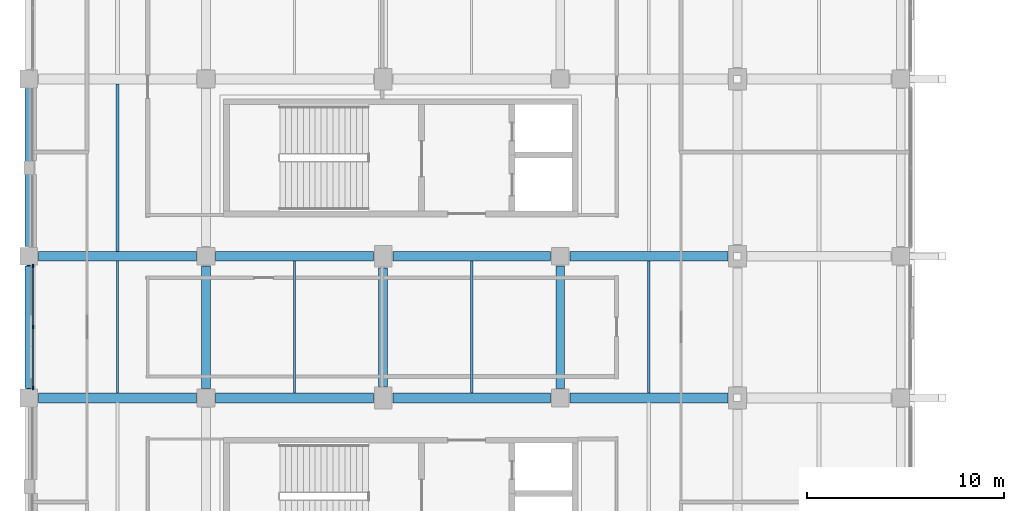
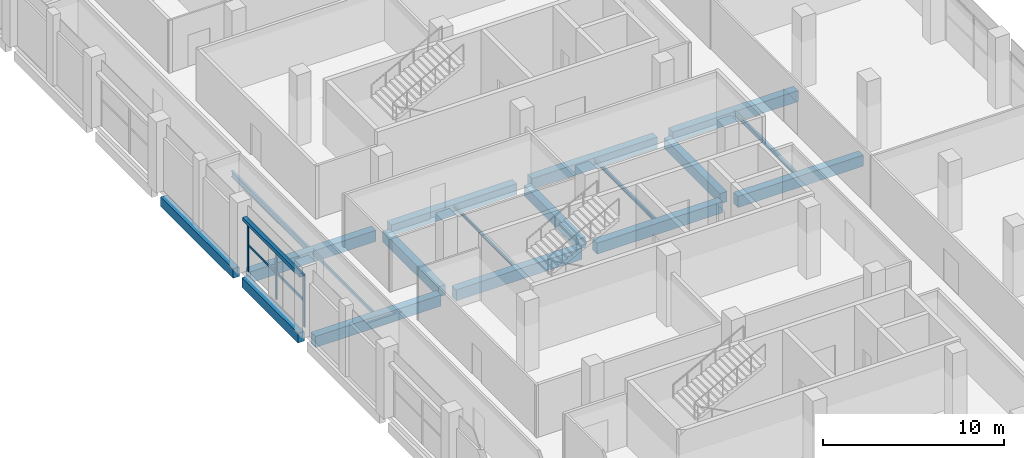
# One storey, part 14 of 82: 18 beams, 6 members, 1 element without a shape of its own.
"""IFC4 building model written with IfcOpenShell, lengths in metres."""

from ifc_helpers import new_model, si_unit, direction, frame, origin, origin_2d, place, context, subcontext, project, spatial, rectangle, hollow_rectangle, i_section, extrude, material, material_profile, profile_set, type_object, element, aggregate, save


model = new_model("IFC4")

# Units and contexts
model_context = context("Model", 3, precision=1e-05, world=origin(), true_north=direction((0.0, 1.0)))
body_context = subcontext(model_context, "Body", "Model", "MODEL_VIEW")
ifc_project = project(units=[si_unit("LENGTHUNIT", "METRE"), si_unit("AREAUNIT", "SQUARE_METRE"), si_unit("VOLUMEUNIT", "CUBIC_METRE"), si_unit("PLANEANGLEUNIT", "RADIAN"), si_unit("MASSUNIT", "GRAM", prefix="KILO"), si_unit("THERMODYNAMICTEMPERATUREUNIT", "KELVIN"), si_unit("POWERUNIT", "WATT")], contexts=[model_context])

# Site, building, storey
site_placement = place(None, origin())
site = spatial("IfcSite", under=ifc_project, at=site_placement, CompositionType="ELEMENT")
building_placement = place(site_placement, origin())
building = spatial("IfcBuilding", under=site, at=building_placement, Name="Sindhuravela Promenade Stadium", CompositionType="ELEMENT")
storey_placement = place(building_placement, frame((0.0, 0.0, 14.39990234375)))
storey = spatial("IfcBuildingStorey", under=building, at=storey_placement, Name="L03", CompositionType="ELEMENT", Elevation=14.39990234375)

# Curtain wall, members
ifc_material_1 = material(Name="Anodised architectural aluminium 6063-T6", Category="aluminium")
curtain_wall_type = type_object("IfcCurtainWallType", Name="CW-MOD-7", PredefinedType="NOTDEFINED", material=ifc_material_1)
curtain_wall_placement = place(storey_placement, origin())
curtain_wall = element("IfcCurtainWall", 1, at=curtain_wall_placement, inside=storey, type_object=curtain_wall_type, Name="Bronze curtain wall CW-WEST-L03-030", PredefinedType="NOTDEFINED")
ifc_material_profile_1 = material_profile(ifc_material_1, rectangle(XDim=0.074951171875, YDim=0.175048828125, at=origin_2d()), Name="ALU MULL 75x175")
ifc_profile_set_1 = profile_set([ifc_material_profile_1], Name="Anodised architectural aluminium 6063-T6")
member_type_1 = type_object("IfcMemberType", Name="CW-MUL-1", PredefinedType="MULLION", material=ifc_profile_set_1)
member_1_placement = place(storey_placement, frame((0.199951171875, 77.89990234375, 0.0), z_axis=(0.0, 0.0, 1.0), x_axis=(1.0, 0.0, 0.0)))
member_1 = element("IfcMember", 2, at=member_1_placement, type_object=member_type_1, Name="Curtain wall mullion CW-WEST-L03-030-M1", PredefinedType="MULLION", context=body_context, shape_type="SweptSolid", body=[
    extrude(rectangle(XDim=0.074951171875, YDim=0.175048828125, at=origin_2d()), origin(), (0.0, 0.0, 1.0), 3.580078125),
])
member_2_placement = place(storey_placement, frame((0.199951171875, 81.0, 0.0), z_axis=(0.0, 0.0, 1.0), x_axis=(1.0, 0.0, 0.0)))
member_2 = element("IfcMember", 3, at=member_2_placement, type_object=member_type_1, Name="Curtain wall mullion CW-WEST-L03-030-M2", PredefinedType="MULLION", context=body_context, shape_type="SweptSolid", body=[
    extrude(rectangle(XDim=0.074951171875, YDim=0.175048828125, at=origin_2d()), origin(), (0.0, 0.0, 1.0), 3.580078125),
])
member_3_placement = place(storey_placement, frame((0.199951171875, 84.10009765625, 0.0), z_axis=(0.0, 0.0, 1.0), x_axis=(1.0, 0.0, 0.0)))
member_3 = element("IfcMember", 4, at=member_3_placement, type_object=member_type_1, Name="Curtain wall mullion CW-WEST-L03-030-M3", PredefinedType="MULLION", context=body_context, shape_type="SweptSolid", body=[
    extrude(rectangle(XDim=0.074951171875, YDim=0.175048828125, at=origin_2d()), origin(), (0.0, 0.0, 1.0), 3.580078125),
])
ifc_material_profile_2 = material_profile(ifc_material_1, rectangle(XDim=0.074951171875, YDim=0.14990234375, at=origin_2d()), Name="ALU TRAN 75x150")
ifc_profile_set_2 = profile_set([ifc_material_profile_2], Name="Anodised architectural aluminium 6063-T6")
member_type_2 = type_object("IfcMemberType", Name="CW-TRN-1", PredefinedType="USERDEFINED", material=ifc_profile_set_2)
member_4_placement = place(storey_placement, frame((0.199951171875, 77.875, 1.7900390625), z_axis=(0.0, 1.0, 0.0), x_axis=(-1.0, 0.0, 0.0)))
member_4 = element("IfcMember", 5, at=member_4_placement, type_object=member_type_2, Name="Curtain wall transom CW-WEST-L03-030-T1", ObjectType="TRANSOM", PredefinedType="USERDEFINED", context=body_context, shape_type="SweptSolid", body=[
    extrude(rectangle(XDim=0.074951171875, YDim=0.14990234375, at=origin_2d()), origin(), (0.0, 0.0, 1.0), 6.25),
])
member_5_placement = place(storey_placement, frame((0.199951171875, 77.875, 3.5), z_axis=(0.0, 1.0, 0.0), x_axis=(-1.0, 0.0, 0.0)))
member_5 = element("IfcMember", 6, at=member_5_placement, type_object=member_type_2, Name="Curtain wall transom CW-WEST-L03-030-T2", ObjectType="TRANSOM", PredefinedType="USERDEFINED", context=body_context, shape_type="SweptSolid", body=[
    extrude(rectangle(XDim=0.074951171875, YDim=0.14990234375, at=origin_2d()), origin(), (0.0, 0.0, 1.0), 6.25),
])
aggregate(curtain_wall, [member_1, member_2, member_3, member_4, member_5])

# Beams
ifc_material_2 = material(Name="Concrete M40", Category="concrete")
ifc_material_profile_3 = material_profile(ifc_material_2, rectangle(XDim=0.39990234375, YDim=0.64990234375, at=origin_2d()), Name="RC 400x650")
ifc_profile_set_3 = profile_set([ifc_material_profile_3], Name="Concrete M40")
beam_type_1 = type_object("IfcBeamType", Name="RC-BM-400x650", PredefinedType="SPANDREL", material=ifc_profile_set_3)
beam_1_placement = place(storey_placement, frame((0.0, 77.889892578125, -0.625), z_axis=(0.0, 1.0, 0.0), x_axis=(-1.0, 0.0, 0.0)))
element("IfcBeam", 7, at=beam_1_placement, inside=storey, type_object=beam_type_1, Name="Primary beam SP01 WEST L03", PredefinedType="SPANDREL", context=body_context, shape_type="SweptSolid", body=[
    extrude(rectangle(XDim=0.39990234375, YDim=0.64990234375, at=origin_2d()), origin(), (0.0, 0.0, 1.0), 6.22021484375),
])
beam_2_placement = place(storey_placement, frame((0.0, 85.090087890625, -0.625), z_axis=(0.0, 1.0, 0.0), x_axis=(-1.0, 0.0, 0.0)))
element("IfcBeam", 8, at=beam_2_placement, inside=storey, type_object=beam_type_1, Name="Primary beam SP01 WEST L03", PredefinedType="SPANDREL", context=body_context, shape_type="SweptSolid", body=[
    extrude(rectangle(XDim=0.39990234375, YDim=0.64990234375, at=origin_2d()), origin(), (0.0, 0.0, 1.0), 8.02001953125),
])
ifc_material_profile_4 = material_profile(ifc_material_2, rectangle(XDim=0.449951171875, YDim=0.699951171875, at=origin_2d()), Name="RC 450x700")
ifc_profile_set_4 = profile_set([ifc_material_profile_4], Name="Concrete M40")
beam_type_2 = type_object("IfcBeamType", Name="RC-BM-450x700", PredefinedType="BEAM", material=ifc_profile_set_4)
beam_3_placement = place(storey_placement, frame((9.0, 77.889892578125, -0.64990234375), z_axis=(0.0, 1.0, 0.0), x_axis=(-1.0, 0.0, 0.0)))
element("IfcBeam", 9, at=beam_3_placement, inside=storey, type_object=beam_type_2, Name="Primary beam GB07 WEST L03", PredefinedType="BEAM", context=body_context, shape_type="SweptSolid", body=[
    extrude(rectangle(XDim=0.449951171875, YDim=0.699951171875, at=origin_2d()), origin(), (0.0, 0.0, 1.0), 6.22021484375),
])
beam_4_placement = place(storey_placement, frame((18.0, 77.989990234375, -0.64990234375), z_axis=(0.0, 1.0, 0.0), x_axis=(-1.0, 0.0, 0.0)))
element("IfcBeam", 10, at=beam_4_placement, inside=storey, type_object=beam_type_2, Name="Primary beam GB07 WEST L03", PredefinedType="BEAM", context=body_context, shape_type="SweptSolid", body=[
    extrude(rectangle(XDim=0.449951171875, YDim=0.699951171875, at=origin_2d()), origin(), (0.0, 0.0, 1.0), 6.02001953125),
])
beam_5_placement = place(storey_placement, frame((27.0, 77.889892578125, -0.64990234375), z_axis=(0.0, 1.0, 0.0), x_axis=(-1.0, 0.0, 0.0)))
element("IfcBeam", 11, at=beam_5_placement, inside=storey, type_object=beam_type_2, Name="Primary beam GB07 WEST L03", PredefinedType="BEAM", context=body_context, shape_type="SweptSolid", body=[
    extrude(rectangle(XDim=0.449951171875, YDim=0.699951171875, at=origin_2d()), origin(), (0.0, 0.0, 1.0), 6.22021484375),
])
ifc_material_profile_5 = material_profile(ifc_material_2, rectangle(XDim=0.5, YDim=0.75, at=origin_2d()), Name="RC 500x750")
ifc_profile_set_5 = profile_set([ifc_material_profile_5], Name="Concrete M40")
beam_type_3 = type_object("IfcBeamType", Name="RC-BM-500x750", PredefinedType="BEAM", material=ifc_profile_set_5)
for number, where, z_axis, x_axis, name in (
    (12, (0.489990234375, 77.39990234375, -0.6748046875), (1.0, 0.0, 0.0), (0.0, 1.0, 0.0), "Primary girder GB06 WEST L03"),
    (13, (9.489990234375, 77.39990234375, -0.6748046875), (1.0, 0.0, 0.0), (0.0, 1.0, 0.0), "Primary girder GB06 WEST L03"),
    (14, (18.489990234375, 77.39990234375, -0.6748046875), (1.0, 0.0, 0.0), (0.0, 1.0, 0.0), "Primary girder GB06 WEST L03"),
    (15, (27.489990234375, 77.39990234375, -0.6748046875), (1.0, 0.0, 0.0), (0.0, 1.0, 0.0), "Primary girder GB06 WEST L03"),
    (16, (0.489990234375, 84.60009765625, -0.6748046875), (1.0, 0.0, 0.0), (0.0, 1.0, 0.0), "Primary girder GB06 WEST L03"),
    (17, (9.489990234375, 84.60009765625, -0.6748046875), (1.0, 0.0, 0.0), (0.0, 1.0, 0.0), "Primary girder GB06 WEST L03"),
    (18, (18.489990234375, 84.60009765625, -0.6748046875), (1.0, 0.0, 0.0), (0.0, 1.0, 0.0), "Primary girder GB06 WEST L03"),
    (19, (27.489990234375, 84.60009765625, -0.6748046875), (1.0, 0.0, 0.0), (0.0, 1.0, 0.0), "Primary girder GB06 WEST L03"),
):
    element("IfcBeam", number, at=place(storey_placement, frame(where, z_axis=z_axis, x_axis=x_axis)), inside=storey, type_object=beam_type_3, Name=name, PredefinedType="BEAM", context=body_context, shape_type="SweptSolid", body=[
        extrude(rectangle(XDim=0.5, YDim=0.75, at=origin_2d()), origin(), (0.0, 0.0, 1.0), 8.02001953125),
    ])
ifc_material_3 = material(Name="Steel E350 (IS 2062 E350BR)", Category="steel")
ifc_material_profile_6 = material_profile(ifc_material_3, hollow_rectangle(XDim=0.10009765625, YDim=0.199951171875, WallThickness=0.008056640625, at=origin_2d()), Name="RHS 200x100x8")
ifc_profile_set_6 = profile_set([ifc_material_profile_6], Name="Steel E350 (IS 2062 E350BR)")
beam_type_4 = type_object("IfcBeamType", Name="ST-BM-LNT200", PredefinedType="LINTEL", material=ifc_profile_set_6)
beam_6_placement = place(storey_placement, frame((4.5, 77.639892578125, -0.39990234375), z_axis=(0.0, 1.0, 0.0), x_axis=(-1.0, 0.0, 0.0)))
element("IfcBeam", 20, at=beam_6_placement, inside=storey, type_object=beam_type_4, Name="Secondary floor joist LN01 WEST L03", PredefinedType="LINTEL", context=body_context, shape_type="SweptSolid", body=[
    extrude(hollow_rectangle(XDim=0.10009765625, YDim=0.199951171875, WallThickness=0.008056640625, at=origin_2d()), origin(), (0.0, 0.0, 1.0), 6.72021484375),
])
ifc_material_profile_7 = material_profile(ifc_material_3, i_section(OverallWidth=0.10009765625, OverallDepth=0.199951171875, WebThickness=0.005615234375, FlangeThickness=0.0107421875, FilletRadius=0.010986328125, at=origin_2d()), Name="ISMB 200")
ifc_profile_set_7 = profile_set([ifc_material_profile_7], Name="Steel E350 (IS 2062 E350BR)")
beam_type_5 = type_object("IfcBeamType", Name="ST-BM-MB200", PredefinedType="JOIST", material=ifc_profile_set_7)
beam_7_placement = place(storey_placement, frame((13.5, 77.639892578125, -0.39990234375), z_axis=(0.0, 1.0, 0.0), x_axis=(-1.0, 0.0, 0.0)))
element("IfcBeam", 21, at=beam_7_placement, inside=storey, type_object=beam_type_5, Name="Secondary floor joist SB01 WEST L03", PredefinedType="JOIST", context=body_context, shape_type="SweptSolid", body=[
    extrude(i_section(OverallWidth=0.10009765625, OverallDepth=0.199951171875, WebThickness=0.005615234375, FlangeThickness=0.0107421875, FilletRadius=0.010986328125, at=origin_2d()), origin(), (0.0, 0.0, 1.0), 6.72021484375),
])
ifc_material_profile_8 = material_profile(ifc_material_3, i_section(OverallWidth=0.125, OverallDepth=0.25, WebThickness=0.0068359375, FlangeThickness=0.012451171875, FilletRadius=0.012939453125, at=origin_2d()), Name="ISMB 250")
ifc_profile_set_8 = profile_set([ifc_material_profile_8], Name="Steel E350 (IS 2062 E350BR)")
beam_type_6 = type_object("IfcBeamType", Name="ST-BM-MB250", PredefinedType="JOIST", material=ifc_profile_set_8)
beam_8_placement = place(storey_placement, frame((22.5, 77.639892578125, -0.4248046875), z_axis=(0.0, 1.0, 0.0), x_axis=(-1.0, 0.0, 0.0)))
element("IfcBeam", 22, at=beam_8_placement, inside=storey, type_object=beam_type_6, Name="Secondary floor joist SB02 WEST L03", PredefinedType="JOIST", context=body_context, shape_type="SweptSolid", body=[
    extrude(i_section(OverallWidth=0.125, OverallDepth=0.25, WebThickness=0.0068359375, FlangeThickness=0.012451171875, FilletRadius=0.012939453125, at=origin_2d()), origin(), (0.0, 0.0, 1.0), 6.72021484375),
])
ifc_material_profile_9 = material_profile(ifc_material_3, i_section(OverallWidth=0.139892578125, OverallDepth=0.300048828125, WebThickness=0.0078125, FlangeThickness=0.01318359375, FilletRadius=0.013916015625, at=origin_2d()), Name="ISMB 300")
ifc_profile_set_9 = profile_set([ifc_material_profile_9], Name="Steel E350 (IS 2062 E350BR)")
beam_type_7 = type_object("IfcBeamType", Name="ST-BM-MB300", PredefinedType="JOIST", material=ifc_profile_set_9)
beam_9_placement = place(storey_placement, frame((31.5, 77.639892578125, -0.449951171875), z_axis=(0.0, 1.0, 0.0), x_axis=(-1.0, 0.0, 0.0)))
element("IfcBeam", 23, at=beam_9_placement, inside=storey, type_object=beam_type_7, Name="Secondary floor joist SB03 WEST L03", PredefinedType="JOIST", context=body_context, shape_type="SweptSolid", body=[
    extrude(i_section(OverallWidth=0.139892578125, OverallDepth=0.300048828125, WebThickness=0.0078125, FlangeThickness=0.01318359375, FilletRadius=0.013916015625, at=origin_2d()), origin(), (0.0, 0.0, 1.0), 6.72021484375),
])
ifc_material_profile_10 = material_profile(ifc_material_3, i_section(OverallWidth=0.139892578125, OverallDepth=0.39990234375, WebThickness=0.0087890625, FlangeThickness=0.01611328125, FilletRadius=0.013916015625, at=origin_2d()), Name="ISMB 400")
ifc_profile_set_10 = profile_set([ifc_material_profile_10], Name="Steel E350 (IS 2062 E350BR)")
beam_type_8 = type_object("IfcBeamType", Name="ST-BM-MB400", PredefinedType="BEAM", material=ifc_profile_set_10)
beam_10_placement = place(storey_placement, frame((4.5, 84.840087890625, -0.5), z_axis=(0.0, 1.0, 0.0), x_axis=(-1.0, 0.0, 0.0)))
element("IfcBeam", 24, at=beam_10_placement, inside=storey, type_object=beam_type_8, Name="Secondary floor joist SB05 WEST L03", PredefinedType="BEAM", context=body_context, shape_type="SweptSolid", body=[
    extrude(i_section(OverallWidth=0.139892578125, OverallDepth=0.39990234375, WebThickness=0.0087890625, FlangeThickness=0.01611328125, FilletRadius=0.013916015625, at=origin_2d()), origin(), (0.0, 0.0, 1.0), 8.52001953125),
])

# Member
ifc_material_profile_11 = material_profile(ifc_material_3, hollow_rectangle(XDim=0.25, YDim=0.25, WallThickness=0.011962890625, at=origin_2d()), Name="SHS 250x250x12")
ifc_profile_set_11 = profile_set([ifc_material_profile_11], Name="Steel E350 (IS 2062 E350BR)")
member_type_3 = type_object("IfcMemberType", Name="ST-MB-SHS250", PredefinedType="CHORD", material=ifc_profile_set_11)
member_6_placement = place(storey_placement, frame((0.0, 77.842041015625, 3.60009765625), z_axis=(0.0, 1.0, 0.0), x_axis=(-1.0, 0.0, 0.0)))
element("IfcMember", 25, at=member_6_placement, inside=storey, type_object=member_type_3, Name="Portal tie member MC01-9", PredefinedType="CHORD", context=body_context, shape_type="SweptSolid", body=[
    extrude(hollow_rectangle(XDim=0.25, YDim=0.25, WallThickness=0.011962890625, at=origin_2d()), origin(), (0.0, 0.0, 1.0), 6.31591796875),
])

save(model, "model.ifc")
